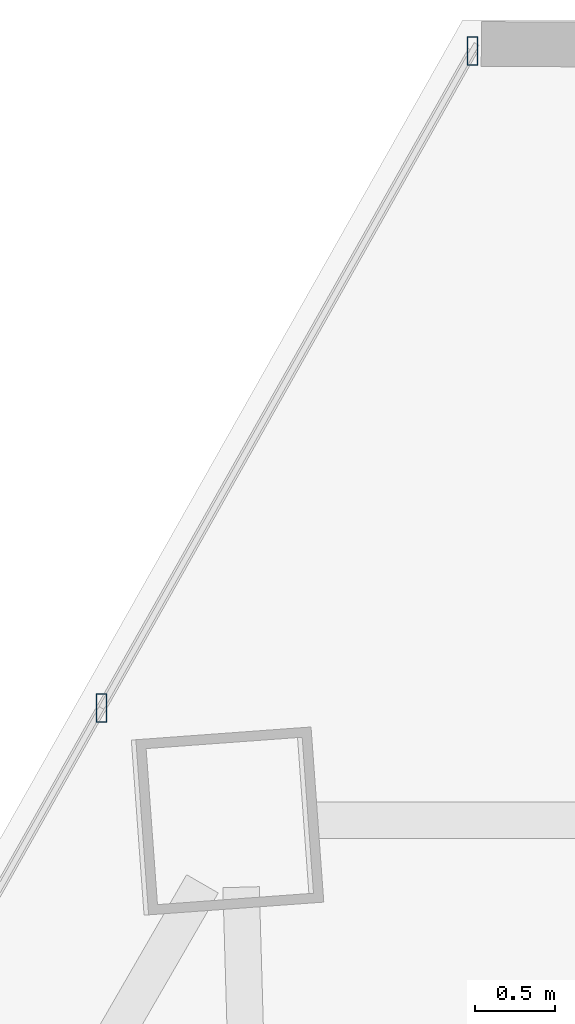
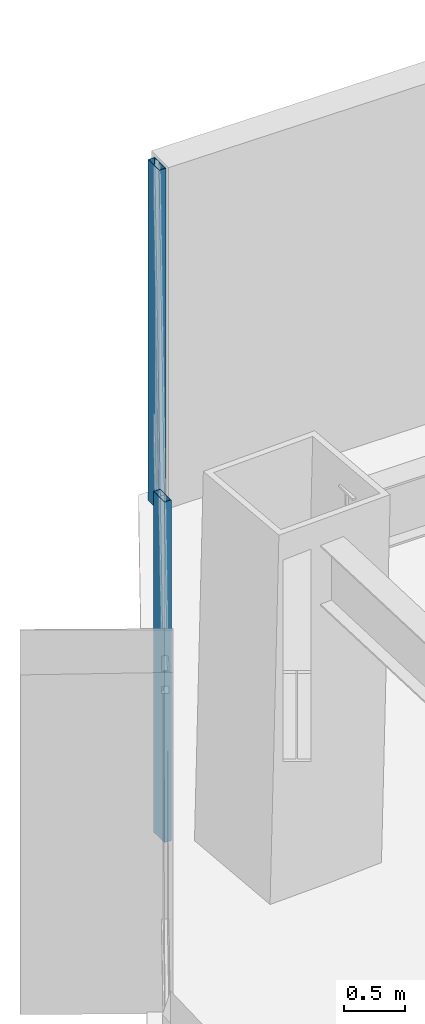
# One storey, part 26 of 36: 2 members, 1 element without a shape of its own.
"""IFC4 building model written with IfcOpenShell, lengths in metres."""

import ifcopenshell
import ifcopenshell.guid

model = None  # the IFC model being written
_history = None  # IfcOwnerHistory: only IFC2X3 demands one
_inside = {}  # id of a spatial element -> (the spatial element, [elements in it])
_under = {}  # id of a project, library or spatial element -> (it, [spatial elements below it])
_declared = {}  # id of a project -> (the project, [libraries it declares])
_typed = {}  # id of a type object -> (the type object, [elements of that type])
_made_of = {}  # id of a material, layer set ... -> (it, [elements and type objects made of it])


def new_model(schema):
    """Start an empty IFC model of exactly this schema.

    Asked for "IFC4X3", IfcOpenShell would pick the latest addendum, in which some entities
    have other attributes; the version numbers below select the first issue.
    IFC2X3 requires an IfcOwnerHistory on every rooted entity: one is made here for all.
    """
    global model, _history
    if schema == "IFC4X3":
        model = ifcopenshell.file(schema_version=(4, 3, 0, 0))
    else:
        model = ifcopenshell.file(schema=schema)
    _inside.clear()
    _under.clear()
    _declared.clear()
    _typed.clear()
    _made_of.clear()
    _history = None
    if model.schema == "IFC2X3":
        org = make("IfcOrganization", Name="unknown")
        user = make(
            "IfcPersonAndOrganization",
            ThePerson=make("IfcPerson", FamilyName="unknown"),
            TheOrganization=org,
        )
        app = make(
            "IfcApplication",
            ApplicationDeveloper=org,
            Version="unknown",
            ApplicationFullName="unknown",
            ApplicationIdentifier="unknown",
        )
        _history = make(
            "IfcOwnerHistory",
            OwningUser=user,
            OwningApplication=app,
            ChangeAction="ADDED",
            CreationDate=0,
        )
    return model


def make(cls, **values):
    """One entity of the class cls with the attributes given. An attribute that is None is left unset."""
    return model.create_entity(
        cls, **{name: value for name, value in values.items() if value is not None}
    )


def rooted(cls, **values):
    """An entity with a GlobalId (a new one), such as an element, a storey or a relation."""
    return make(cls, GlobalId=ifcopenshell.guid.new(), OwnerHistory=_history, **values)


def si_unit(unit_type, name, prefix=None):
    """IfcSIUnit, for example si_unit("LENGTHUNIT", "METRE", prefix="MILLI")."""
    return make("IfcSIUnit", UnitType=unit_type, Prefix=prefix, Name=name)


def assignment(units):
    """IfcUnitAssignment: the units of a project."""
    return None if units is None else make("IfcUnitAssignment", Units=units)


def point(xyz):
    """IfcCartesianPoint."""
    return None if xyz is None else make("IfcCartesianPoint", Coordinates=xyz)


def direction(xyz):
    """IfcDirection."""
    return None if xyz is None else make("IfcDirection", DirectionRatios=xyz)


def frame(location, z_axis=None, x_axis=None):
    """IfcAxis2Placement3D, a coordinate frame: its origin and axes. An axis left out is left unset."""
    return make(
        "IfcAxis2Placement3D",
        Location=point(location),
        Axis=direction(z_axis),
        RefDirection=direction(x_axis),
    )


def frame_2d(location, x_axis=None):
    """IfcAxis2Placement2D, a coordinate frame in the plane: its origin and x axis."""
    return make(
        "IfcAxis2Placement2D", Location=point(location), RefDirection=direction(x_axis)
    )


def origin():
    """The frame at (0, 0, 0) with its axes left unset."""
    return frame((0.0, 0.0, 0.0))


def origin_2d():
    """The frame at (0, 0) in the plane with its x axis left unset."""
    return frame_2d((0.0, 0.0))


def place(relative_to, where):
    """IfcLocalPlacement: puts the frame where relative to a parent placement (None: the world)."""
    return make(
        "IfcLocalPlacement", PlacementRelTo=relative_to, RelativePlacement=where
    )


def context(
    kind, dimensions, precision=None, world=None, true_north=None, identifier=None
):
    """IfcGeometricRepresentationContext, for example the 3D "Model" context."""
    return make(
        "IfcGeometricRepresentationContext",
        ContextIdentifier=identifier,
        ContextType=kind,
        CoordinateSpaceDimension=dimensions,
        Precision=precision,
        WorldCoordinateSystem=world,
        TrueNorth=true_north,
    )


def subcontext(parent, identifier, kind, view, scale=None):
    """IfcGeometricRepresentationSubContext, for example "Body" below "Model"."""
    return make(
        "IfcGeometricRepresentationSubContext",
        ContextIdentifier=identifier,
        ContextType=kind,
        ParentContext=parent,
        TargetScale=scale,
        TargetView=view,
    )


def project(units=None, contexts=None):
    """IfcProject with its units and contexts."""
    return rooted(
        "IfcProject",
        Name="project",
        RepresentationContexts=contexts,
        UnitsInContext=assignment(units),
    )


def spatial(cls, under=None, at=None, **own):
    """A site, building, storey or space (cls), placed at a placement, below another one or the project."""
    s = rooted(cls, ObjectPlacement=at, **own)
    if under is not None:
        _under.setdefault(under.id(), (under, []))[1].append(s)
    return s


def profile(cls, at=None, kind="AREA", **sizes):
    """A parametric profile (cls). Its sizes go by their IFC names, for example OverallWidth=200.0."""
    return make(cls, ProfileType=kind, Position=at, **sizes)


def hollow_rectangle(**sizes):
    """IfcRectangleHollowProfileDef."""
    return profile("IfcRectangleHollowProfileDef", **sizes)


def extrude(swept, where, along, depth):
    """IfcExtrudedAreaSolid: the profile swept, set in the frame where, extruded along a direction by depth."""
    return make(
        "IfcExtrudedAreaSolid",
        SweptArea=swept,
        Position=where,
        ExtrudedDirection=direction(along),
        Depth=depth,
    )


def shape(context_of_items, identifier, shape_type, items):
    """IfcShapeRepresentation: the items that make up one representation, for example the "Body"."""
    return make(
        "IfcShapeRepresentation",
        ContextOfItems=context_of_items,
        RepresentationIdentifier=identifier,
        RepresentationType=shape_type,
        Items=items,
    )


def source(mapping_origin, context_of_items, identifier, shape_type, items):
    """IfcRepresentationMap: a shape defined once, which mapped items show again and again."""
    return make(
        "IfcRepresentationMap",
        MappingOrigin=mapping_origin,
        MappedRepresentation=shape(context_of_items, identifier, shape_type, items),
    )


def transform(
    local_origin,
    x_axis=None,
    y_axis=None,
    z_axis=None,
    scale=None,
    scale2=None,
    scale3=None,
    uniform=True,
):
    """IfcCartesianTransformationOperator3D, or its non-uniform kind. x_axis, y_axis, z_axis: its Axis1, 2, 3."""
    if uniform:
        return make(
            "IfcCartesianTransformationOperator3D",
            Axis1=direction(x_axis),
            Axis2=direction(y_axis),
            LocalOrigin=point(local_origin),
            Scale=scale,
            Axis3=direction(z_axis),
        )
    return make(
        "IfcCartesianTransformationOperator3DnonUniform",
        Axis1=direction(x_axis),
        Axis2=direction(y_axis),
        LocalOrigin=point(local_origin),
        Scale=scale,
        Axis3=direction(z_axis),
        Scale2=scale2,
        Scale3=scale3,
    )


def mapped(mapping_source, mapping_target):
    """IfcMappedItem: shows the shape of a source again, moved by a transform."""
    return make(
        "IfcMappedItem", MappingSource=mapping_source, MappingTarget=mapping_target
    )


def material(Name=None, Category=None):
    """IfcMaterial."""
    return make("IfcMaterial", Name=Name, Category=Category)


def material_profile(
    of_material, cross_section, Name=None, Category=None, Priority=None
):
    """IfcMaterialProfile: a cross section and its material."""
    return make(
        "IfcMaterialProfile",
        Name=Name,
        Material=of_material,
        Profile=cross_section,
        Priority=Priority,
        Category=Category,
    )


def profile_set(profiles, Name=None, composite=None):
    """IfcMaterialProfileSet."""
    return make(
        "IfcMaterialProfileSet",
        Name=Name,
        MaterialProfiles=profiles,
        CompositeProfile=composite,
    )


def made_of(thing, what):
    """Note that an element or type object is made of a material, layer set ...; save() writes the relation."""
    if what is not None:
        _made_of.setdefault(what.id(), (what, []))[1].append(thing)
    return thing


def type_object(cls, material=None, **own):
    """A type object (cls), such as IfcWallType, which elements share."""
    return made_of(rooted(cls, **own), material)


def type_shapes(of_type, sources):
    """Give a type object the sources (RepresentationMaps) that its elements show as mapped items."""
    of_type.RepresentationMaps = sources


def element(
    cls,
    number,
    at=None,
    inside=None,
    cuts=None,
    type_object=None,
    material=None,
    context=None,
    identifier="Body",
    shape_type=None,
    held_by="IfcProductDefinitionShape",
    body=None,
    shapes=None,
    **own,
):
    """One element of the class cls, such as IfcWall. Its Tag is "e" and its number.

    at: its placement. inside: the storey or other place that contains it. cuts: it is an
    opening in that element (IfcRelVoidsElement). A single representation is given by context,
    identifier, shape_type and body (its items); several are given by shapes. held_by: the class
    of the entity that holds the representations. save() writes the other relations.
    """
    e = rooted(cls, Tag="e%d" % number, ObjectPlacement=at, **own)
    if body is not None:
        shapes = [shape(context, identifier, shape_type, body)]
    if shapes is not None:
        e.Representation = make(held_by, Representations=shapes)
    if inside is not None:
        _inside.setdefault(inside.id(), (inside, []))[1].append(e)
    if cuts is not None:
        rooted(
            "IfcRelVoidsElement", RelatingBuildingElement=cuts, RelatedOpeningElement=e
        )
    if type_object is not None:
        _typed.setdefault(type_object.id(), (type_object, []))[1].append(e)
    return made_of(e, material)


def aggregate(whole, parts):
    """IfcRelAggregates: a whole, such as a stair, and the parts it consists of."""
    return rooted("IfcRelAggregates", RelatingObject=whole, RelatedObjects=parts)


def save(model, path):
    """Write the relations noted so far, then the file.

    IfcRelAggregates (storeys below a building ...), IfcRelContainedInSpatialStructure (elements
    in a storey), IfcRelDefinesByType, IfcRelAssociatesMaterial and IfcRelDeclares: one each for
    every whole, place, type object, material and project.
    """
    for whole, parts in _under.values():
        aggregate(whole, parts)
    for where, things in _inside.values():
        rooted(
            "IfcRelContainedInSpatialStructure",
            RelatedElements=things,
            RelatingStructure=where,
        )
    for kind, things in _typed.values():
        rooted("IfcRelDefinesByType", RelatedObjects=things, RelatingType=kind)
    for what, things in _made_of.values():
        rooted("IfcRelAssociatesMaterial", RelatedObjects=things, RelatingMaterial=what)
    for by, libraries in _declared.values():
        rooted("IfcRelDeclares", RelatingContext=by, RelatedDefinitions=libraries)
    model.write(path)


model = new_model("IFC4")

# Units and contexts
model_context = context("Model", 3, precision=1e-05, world=origin(), true_north=direction((0.0, 1.0)))
body_context = subcontext(model_context, "Body", "Model", "MODEL_VIEW")
ifc_project = project(units=[si_unit("LENGTHUNIT", "METRE"), si_unit("AREAUNIT", "SQUARE_METRE"), si_unit("VOLUMEUNIT", "CUBIC_METRE"), si_unit("PLANEANGLEUNIT", "RADIAN"), si_unit("MASSUNIT", "GRAM", prefix="KILO")], contexts=[model_context])

# Site, building, storey
site_placement = place(None, origin())
site = spatial("IfcSite", under=ifc_project, at=site_placement, CompositionType="ELEMENT")
building_placement = place(site_placement, origin())
building = spatial("IfcBuilding", under=site, at=building_placement, Name="Caelisora Broadcast Tower", CompositionType="ELEMENT")
storey_placement = place(building_placement, frame((0.0, 0.0, 79.85009765625)))
storey = spatial("IfcBuildingStorey", under=building, at=storey_placement, Name="L20", CompositionType="ELEMENT", Elevation=79.85009765625)

# Curtain wall, members
ifc_material_1 = material(Name="Unitised Aluminium and Low-E Glass Curtain Wall", Category="glass")
curtain_wall_type = type_object("IfcCurtainWallType", Name="CW-Z2", PredefinedType="NOTDEFINED", material=ifc_material_1)
curtain_wall_placement = place(storey_placement, origin())
curtain_wall = element("IfcCurtainWall", 1, at=curtain_wall_placement, inside=storey, type_object=curtain_wall_type, Name="L20 curtain wall CW-Z2", PredefinedType="NOTDEFINED")
ifc_material_2 = material(Name="Aluminium 6063-T6 Anodised Terracotta Bronze", Category="aluminium")
ifc_material_profile = material_profile(ifc_material_2, hollow_rectangle(XDim=0.06494140625, YDim=0.179931640625, WallThickness=0.00341796875, at=origin_2d()), Name="Aluminium 6063-T6 Anodised Terracotta Bronze")
ifc_profile_set = profile_set([ifc_material_profile], Name="Aluminium 6063-T6 Anodised Terracotta Bronze")
member_type = type_object("IfcMemberType", Name="CWM-02", PredefinedType="MULLION", material=ifc_profile_set)
shared_shape = source(origin(), body_context, "Body", "SweptSolid", [
    extrude(hollow_rectangle(XDim=0.06494140625, YDim=0.179931640625, WallThickness=0.00341796875, at=origin_2d()), origin(), (0.0, 0.0, 1.0), 3.39990234375),
])
type_shapes(member_type, [shared_shape])
member_1_placement = place(storey_placement, frame((29.1611328125, 47.07421875, 0.0), z_axis=(0.0, 0.0, 1.0), x_axis=(1.0, 0.0, 0.0)))
member_1 = element("IfcMember", 2, at=member_1_placement, type_object=member_type, Name="L20-CW-B11 mullion #2", PredefinedType="MULLION", context=body_context, shape_type="MappedRepresentation", body=[
    mapped(shared_shape, transform((0.0, 0.0, 0.0), scale=1.0)),
])
member_2_placement = place(storey_placement, frame((31.486328125, 51.1904296875, 0.0), z_axis=(0.0, 0.0, 1.0), x_axis=(1.0, 0.0, 0.0)))
member_2 = element("IfcMember", 3, at=member_2_placement, type_object=member_type, Name="L20-CW-B11 mullion #3", PredefinedType="MULLION", context=body_context, shape_type="MappedRepresentation", body=[
    mapped(shared_shape, transform((0.0, 0.0, 0.0), scale=1.0)),
])
aggregate(curtain_wall, [member_1, member_2])

save(model, "model.ifc")
